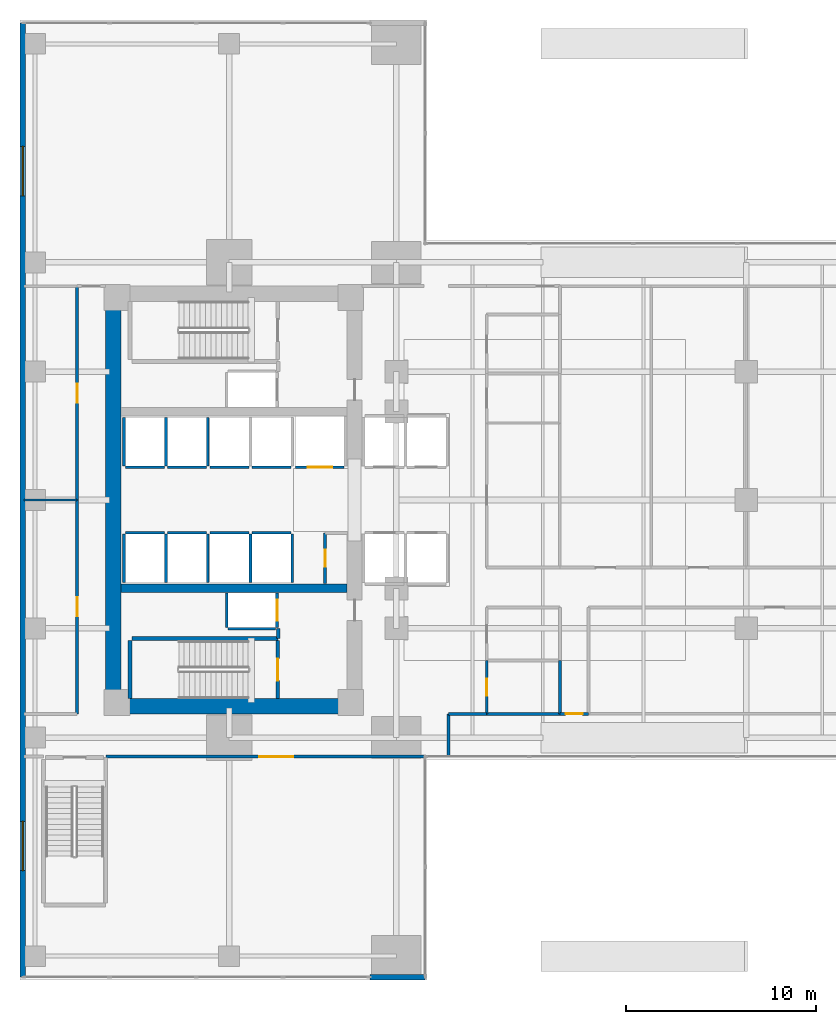
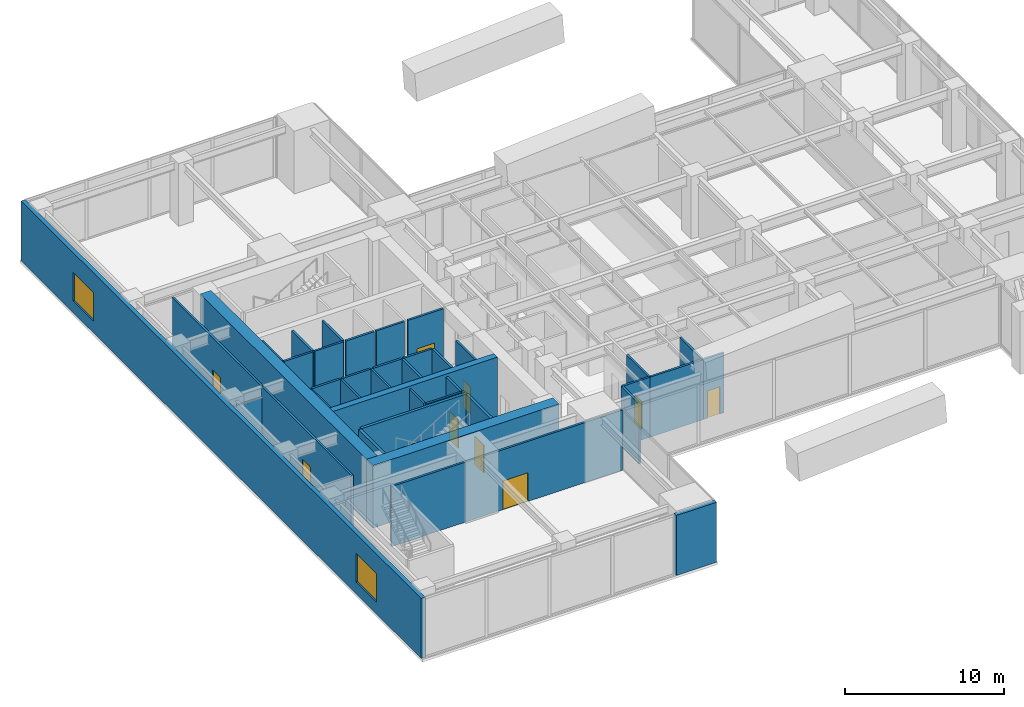
# One storey, part 8 of 13: 40 walls, 9 doors, 2 windows, 11 openings.
"""IFC4 building model written with IfcOpenShell, lengths in metres."""

from ifc_helpers import new_model, si_unit, direction, frame, frame_2d, origin, place, context, subcontext, project, spatial, rectangle, extrude, material, layer, layer_set, type_object, element, fill, save


model = new_model("IFC4")

# Units and contexts
model_context = context("Model", 3, precision=1e-05, world=origin(), true_north=direction((0.0, 1.0)))
body_context = subcontext(model_context, "Body", "Model", "MODEL_VIEW")
ifc_project = project(units=[si_unit("LENGTHUNIT", "METRE"), si_unit("AREAUNIT", "SQUARE_METRE"), si_unit("VOLUMEUNIT", "CUBIC_METRE"), si_unit("PLANEANGLEUNIT", "RADIAN"), si_unit("MASSUNIT", "GRAM", prefix="KILO")], contexts=[model_context])

# Site, building, storey
site_placement = place(None, origin())
site = spatial("IfcSite", under=ifc_project, at=site_placement, CompositionType="ELEMENT")
building_placement = place(site_placement, origin())
building = spatial("IfcBuilding", under=site, at=building_placement, Name="Kinhvarn Gate Tower", CompositionType="ELEMENT")
storey_placement = place(building_placement, frame((0.0, 0.0, 10.800048828125)))
storey = spatial("IfcBuildingStorey", under=building, at=storey_placement, Name="L02", CompositionType="ELEMENT", Elevation=10.800048828125)

# Walls
ifc_material_1 = material(Name="Concrete C50/60", Category="concrete")
ifc_layer_1 = layer(ifc_material_1, 0.449951171875)
ifc_layer_set_1 = layer_set([ifc_layer_1], Name="Concrete C50/60")
wall_type_1 = type_object("IfcWallType", Name="WL-CORE-450", PredefinedType="SHEAR", material=ifc_layer_set_1)
wall_1_placement = place(storey_placement, frame((5.300048828125, 20.60009765625, 0.0), z_axis=(0.0, 0.0, 1.0), x_axis=(1.0, 0.0, 0.0)))
element("IfcWall", 1, at=wall_1_placement, inside=storey, type_object=wall_type_1, Name="Core South Spine Shear Wall L02 450 mm", PredefinedType="SHEAR", context=body_context, shape_type="SweptSolid", body=[
    extrude(rectangle(XDim=11.89990234375, YDim=0.449951171875, at=frame_2d((5.949951171875, 0.0))), origin(), (0.0, 0.0, 1.0), 4.800048828125),
])
ifc_material_2 = material(Name="Concrete C70/85", Category="concrete")
ifc_layer_2 = layer(ifc_material_2, 0.800048828125)
ifc_layer_set_2 = layer_set([ifc_layer_2], Name="Concrete C70/85")
wall_type_2 = type_object("IfcWallType", Name="WL-CORE-800", PredefinedType="SHEAR", material=ifc_layer_set_2)
wall_2_placement = place(storey_placement, frame((4.5, 14.39990234375, 0.0), z_axis=(0.0, 0.0, 1.0), x_axis=(1.0, 0.0, 0.0)))
element("IfcWall", 2, at=wall_2_placement, inside=storey, type_object=wall_type_2, Name="Core South Shear Wall L02 800 mm", PredefinedType="SHEAR", context=body_context, shape_type="SweptSolid", body=[
    extrude(rectangle(XDim=13.5, YDim=0.800048828125, at=frame_2d((6.75, 0.0))), origin(), (0.0, 0.0, 1.0), 4.800048828125),
])
wall_3_placement = place(storey_placement, frame((4.89990234375, 14.800048828125, 0.0), z_axis=(0.0, 0.0, 1.0), x_axis=(0.0, 1.0, 0.0)))
element("IfcWall", 3, at=wall_3_placement, inside=storey, type_object=wall_type_2, Name="Core West Shear Wall L02 800 mm", PredefinedType="SHEAR", context=body_context, shape_type="SweptSolid", body=[
    extrude(rectangle(XDim=20.89990234375, YDim=0.800048828125, at=frame_2d((10.449951171875, 0.0))), origin(), (0.0, 0.0, 1.0), 4.800048828125),
])

# Wall, openings, windows
ifc_material_3 = material(Name="Precast white architectural concrete C40/50", Category="concrete")
ifc_layer_3 = layer(ifc_material_3, 0.300048828125)
ifc_layer_set_3 = layer_set([ifc_layer_3], Name="Precast white architectural concrete C40/50")
wall_type_3 = type_object("IfcWallType", Name="WL-EXT-300", PredefinedType="SOLIDWALL", material=ifc_layer_set_3)
wall_4_placement = place(storey_placement, frame((0.14990234375, 50.35009765625, 0.0), z_axis=(0.0, 0.0, 1.0), x_axis=(0.0, -1.0, 0.0)))
wall_4 = element("IfcWall", 4, at=wall_4_placement, inside=storey, type_object=wall_type_3, Name="Exterior Solidwall Wall EW-300 (L02 West)", PredefinedType="SOLIDWALL", context=body_context, shape_type="SweptSolid", body=[
    extrude(rectangle(XDim=50.2001953125, YDim=0.300048828125, at=frame_2d((25.10009765625, 0.0))), origin(), (0.0, 0.0, 1.0), 4.599853515625),
])
opening_1_placement = place(wall_4_placement, frame((6.5, 0.0, 0.89990234375)))
opening_1 = element("IfcOpeningElement", 5, at=opening_1_placement, cuts=wall_4, Name="Opening WN-03", PredefinedType="OPENING", context=body_context, shape_type="SweptSolid", body=[
    extrude(rectangle(XDim=2.60009765625, YDim=2.199951171875, at=frame_2d((1.300048828125, 1.10009765625))), frame((0.0, 0.16015625, 0.0), z_axis=(0.0, -1.0, 0.0), x_axis=(1.0, 0.0, 0.0)), (0.0, 0.0, 1.0), 0.320068359375),
])
opening_2_placement = place(wall_4_placement, frame((42.0, 0.0, 0.89990234375)))
opening_2 = element("IfcOpeningElement", 6, at=opening_2_placement, cuts=wall_4, Name="Opening WN-03", PredefinedType="OPENING", context=body_context, shape_type="SweptSolid", body=[
    extrude(rectangle(XDim=2.60009765625, YDim=2.199951171875, at=frame_2d((1.300048828125, 1.10009765625))), frame((0.0, 0.16015625, 0.0), z_axis=(0.0, -1.0, 0.0), x_axis=(1.0, 0.0, 0.0)), (0.0, 0.0, 1.0), 0.320068359375),
])
ifc_material_4 = material(Name="Clear low-e double glazing", Category="glass")
window_type = type_object("IfcWindowType", Name="WIN-POD-2600", PartitioningType="SINGLE_PANEL", PredefinedType="WINDOW", material=ifc_material_4)
window_1_placement = place(opening_1_placement, origin())
window_1 = element("IfcWindow", 7, at=window_1_placement, inside=storey, type_object=window_type, Name="Podium Gallery Punched Window 2600x2200 mm (L02)", OverallHeight=2.199951171875, OverallWidth=2.60009765625, PartitioningType="SINGLE_PANEL", PredefinedType="WINDOW", context=body_context, shape_type="SweptSolid", body=[
    extrude(rectangle(XDim=2.60009765625, YDim=2.199951171875, at=frame_2d((1.300048828125, 1.10009765625))), frame((0.0, 0.030029296875, 0.0), z_axis=(0.0, -1.0, 0.0), x_axis=(1.0, 0.0, 0.0)), (0.0, 0.0, 1.0), 0.06005859375),
])
fill(opening_1, window_1)
window_2_placement = place(opening_2_placement, origin())
window_2 = element("IfcWindow", 8, at=window_2_placement, inside=storey, type_object=window_type, Name="Podium Gallery Punched Window 2600x2200 mm (L02)", OverallHeight=2.199951171875, OverallWidth=2.60009765625, PartitioningType="SINGLE_PANEL", PredefinedType="WINDOW", context=body_context, shape_type="SweptSolid", body=[
    extrude(rectangle(XDim=2.60009765625, YDim=2.199951171875, at=frame_2d((1.300048828125, 1.10009765625))), frame((0.0, 0.030029296875, 0.0), z_axis=(0.0, -1.0, 0.0), x_axis=(1.0, 0.0, 0.0)), (0.0, 0.0, 1.0), 0.06005859375),
])
fill(opening_2, window_2)

# Walls
wall_5_placement = place(storey_placement, frame((18.39990234375, 0.14990234375, 0.0), z_axis=(0.0, 0.0, 1.0), x_axis=(1.0, 0.0, 0.0)))
element("IfcWall", 9, at=wall_5_placement, inside=storey, type_object=wall_type_3, Name="Exterior Solidwall Wall EW-300 (L02 Arch-SW-Pier-L02)", PredefinedType="SOLIDWALL", context=body_context, shape_type="SweptSolid", body=[
    extrude(rectangle(XDim=2.91015625, YDim=0.300048828125, at=frame_2d((1.455078125, 0.0))), origin(), (0.0, 0.0, 1.0), 4.599853515625),
])
ifc_material_5 = material(Name="Gypsum acoustic partition board")
ifc_layer_4 = layer(ifc_material_5, 0.14990234375)
ifc_layer_set_4 = layer_set([ifc_layer_4], Name="Gypsum acoustic partition board")
wall_type_4 = type_object("IfcWallType", Name="WL-PLM-150", PredefinedType="PLUMBINGWALL", material=ifc_layer_set_4)
wall_6_placement = place(storey_placement, frame((24.550048828125, 14.0, 0.0), z_axis=(0.0, 0.0, 1.0), x_axis=(1.0, 0.0, 0.0)))
element("IfcWall", 10, at=wall_6_placement, inside=storey, type_object=wall_type_4, Name="Interior Partition PLW-150 (L02)", PredefinedType="PLUMBINGWALL", context=body_context, shape_type="SweptSolid", body=[
    extrude(rectangle(XDim=3.849853515625, YDim=0.14990234375, at=frame_2d((1.9248046875, 0.0))), origin(), (0.0, 0.0, 1.0), 4.599853515625),
])

# Wall, opening, door
ifc_layer_5 = layer(ifc_material_5, 0.14990234375)
ifc_layer_set_5 = layer_set([ifc_layer_5], Name="Gypsum acoustic partition board")
wall_type_5 = type_object("IfcWallType", Name="WL-PLM-150F", PredefinedType="PLUMBINGWALL", material=ifc_layer_set_5)
wall_7_placement = place(storey_placement, frame((24.550048828125, 14.0, 0.0), z_axis=(0.0, 0.0, 1.0), x_axis=(0.0, 1.0, 0.0)))
wall_7 = element("IfcWall", 11, at=wall_7_placement, inside=storey, type_object=wall_type_5, Name="Interior Partition PLW-150F (L02)", PredefinedType="PLUMBINGWALL", context=body_context, shape_type="SweptSolid", body=[
    extrude(rectangle(XDim=2.800048828125, YDim=0.14990234375, at=frame_2d((1.39990234375, 0.0))), origin(), (0.0, 0.0, 1.0), 4.599853515625),
])
opening_3_placement = place(wall_7_placement, frame((0.949951171875, 0.0, 0.0)))
opening_3 = element("IfcOpeningElement", 12, at=opening_3_placement, cuts=wall_7, Name="Opening FD-04", PredefinedType="OPENING", context=body_context, shape_type="SweptSolid", body=[
    extrude(rectangle(XDim=0.89990234375, YDim=2.10009765625, at=frame_2d((0.449951171875, 1.050048828125))), frame((0.0, 0.0849609375, 0.0), z_axis=(0.0, -1.0, 0.0), x_axis=(1.0, 0.0, 0.0)), (0.0, 0.0, 1.0), 0.169921875),
])
ifc_material_6 = material(Name="Anodised aluminium AW-6063", Category="aluminium")
door_type_1 = type_object("IfcDoorType", Name="DR-FD-900", OperationType="NOTDEFINED", PredefinedType="DOOR", material=ifc_material_6)
door_1_placement = place(opening_3_placement, origin())
door_1 = element("IfcDoor", 13, at=door_1_placement, inside=storey, type_object=door_type_1, Name="Rated Riser & Service Closet Fire Door 900x2100 mm (L02)", OperationType="SINGLE_SWING_LEFT", OverallHeight=2.10009765625, OverallWidth=0.89990234375, PredefinedType="DOOR", context=body_context, shape_type="SweptSolid", body=[
    extrude(rectangle(XDim=0.89990234375, YDim=2.10009765625, at=frame_2d((0.449951171875, 1.050048828125))), frame((0.0, 0.02490234375, 0.0), z_axis=(0.0, -1.0, 0.0), x_axis=(1.0, 0.0, 0.0)), (0.0, 0.0, 1.0), 0.050048828125),
])
fill(opening_3, door_1)

# Walls
wall_8_placement = place(storey_placement, frame((28.39990234375, 14.0, 0.0), z_axis=(0.0, 0.0, 1.0), x_axis=(0.0, 1.0, 0.0)))
element("IfcWall", 14, at=wall_8_placement, inside=storey, type_object=wall_type_5, Name="Interior Partition PLW-150F (L02)", PredefinedType="PLUMBINGWALL", context=body_context, shape_type="SweptSolid", body=[
    extrude(rectangle(XDim=2.800048828125, YDim=0.14990234375, at=frame_2d((1.39990234375, 0.0))), origin(), (0.0, 0.0, 1.0), 4.599853515625),
])
ifc_layer_6 = layer(ifc_material_5, 0.1201171875)
ifc_layer_set_6 = layer_set([ifc_layer_6], Name="Gypsum acoustic partition board")
wall_type_6 = type_object("IfcWallType", Name="WL-PRT-120", PredefinedType="PARTITIONING", material=ifc_layer_set_6)
wall_9_placement = place(storey_placement, frame((0.199951171875, 25.25, 0.0), z_axis=(0.0, 0.0, 1.0), x_axis=(1.0, 0.0, 0.0)))
element("IfcWall", 15, at=wall_9_placement, inside=storey, type_object=wall_type_6, Name="Interior Partition PW-120 (L02)", PredefinedType="PARTITIONING", context=body_context, shape_type="SweptSolid", body=[
    extrude(rectangle(XDim=2.800048828125, YDim=0.1201171875, at=frame_2d((1.39990234375, 0.0))), origin(), (0.0, 0.0, 1.0), 3.800048828125),
])

# Wall, opening, door
ifc_layer_7 = layer(ifc_material_5, 0.14990234375)
ifc_layer_set_7 = layer_set([ifc_layer_7], Name="Gypsum acoustic partition board")
wall_type_7 = type_object("IfcWallType", Name="WL-PRT-150F", PredefinedType="PARTITIONING", material=ifc_layer_set_7)
wall_10_placement = place(storey_placement, frame((16.050048828125, 20.85009765625, 0.0), z_axis=(0.0, 0.0, 1.0), x_axis=(0.0, 1.0, 0.0)))
wall_10 = element("IfcWall", 16, at=wall_10_placement, inside=storey, type_object=wall_type_7, Name="Interior Partition PW-150F (L02)", PredefinedType="PARTITIONING", context=body_context, shape_type="SweptSolid", body=[
    extrude(rectangle(XDim=2.669921875, YDim=0.14990234375, at=frame_2d((1.3349609375, 0.0))), origin(), (0.0, 0.0, 1.0), 4.599853515625),
])
opening_4_placement = place(wall_10_placement, frame((0.885009765625, 0.0, 0.0)))
opening_4 = element("IfcOpeningElement", 17, at=opening_4_placement, cuts=wall_10, Name="Opening FD-04", PredefinedType="OPENING", context=body_context, shape_type="SweptSolid", body=[
    extrude(rectangle(XDim=0.89990234375, YDim=2.10009765625, at=frame_2d((0.449951171875, 1.050048828125))), frame((0.0, 0.0849609375, 0.0), z_axis=(0.0, -1.0, 0.0), x_axis=(1.0, 0.0, 0.0)), (0.0, 0.0, 1.0), 0.169921875),
])
door_2_placement = place(opening_4_placement, origin())
door_2 = element("IfcDoor", 18, at=door_2_placement, inside=storey, type_object=door_type_1, Name="Rated Riser & Service Closet Fire Door 900x2100 mm (L02)", OperationType="SINGLE_SWING_RIGHT", OverallHeight=2.10009765625, OverallWidth=0.89990234375, PredefinedType="DOOR", context=body_context, shape_type="SweptSolid", body=[
    extrude(rectangle(XDim=0.89990234375, YDim=2.10009765625, at=frame_2d((0.449951171875, 1.050048828125))), frame((0.0, 0.02490234375, 0.0), z_axis=(0.0, -1.0, 0.0), x_axis=(1.0, 0.0, 0.0)), (0.0, 0.0, 1.0), 0.050048828125),
])
fill(opening_4, door_2)

# Wall
wall_11_placement = place(storey_placement, frame((22.550048828125, 14.0, 0.0), z_axis=(0.0, 0.0, 1.0), x_axis=(1.0, 0.0, 0.0)))
element("IfcWall", 19, at=wall_11_placement, inside=storey, type_object=wall_type_7, Name="Interior Partition PW-150F (L02)", PredefinedType="PARTITIONING", context=body_context, shape_type="SweptSolid", body=[
    extrude(rectangle(XDim=2.0, YDim=0.14990234375, at=frame_2d((1.0, 0.0))), origin(), (0.0, 0.0, 1.0), 4.599853515625),
])

# Wall, opening, door
wall_12_placement = place(storey_placement, frame((28.39990234375, 14.0, 0.0), z_axis=(0.0, 0.0, 1.0), x_axis=(1.0, 0.0, 0.0)))
wall_12 = element("IfcWall", 20, at=wall_12_placement, inside=storey, type_object=wall_type_7, Name="Interior Partition PW-150F (L02)", PredefinedType="PARTITIONING", context=body_context, shape_type="SweptSolid", body=[
    extrude(rectangle(XDim=1.5, YDim=0.14990234375, at=frame_2d((0.75, 0.0))), origin(), (0.0, 0.0, 1.0), 4.599853515625),
])
opening_5_placement = place(wall_12_placement, frame((0.300048828125, 0.0, 0.0)))
opening_5 = element("IfcOpeningElement", 21, at=opening_5_placement, cuts=wall_12, Name="Opening ID-03", PredefinedType="OPENING", context=body_context, shape_type="SweptSolid", body=[
    extrude(rectangle(XDim=0.89990234375, YDim=2.10009765625, at=frame_2d((0.449951171875, 1.050048828125))), frame((0.0, 0.0849609375, 0.0), z_axis=(0.0, -1.0, 0.0), x_axis=(1.0, 0.0, 0.0)), (0.0, 0.0, 1.0), 0.169921875),
])
door_type_2 = type_object("IfcDoorType", Name="DR-INT-900", OperationType="NOTDEFINED", PredefinedType="DOOR", material=ifc_material_6)
door_3_placement = place(opening_5_placement, origin())
door_3 = element("IfcDoor", 22, at=door_3_placement, inside=storey, type_object=door_type_2, Name="Cellular Office & Restroom Door 900x2100 mm (L02)", OperationType="SINGLE_SWING_RIGHT", OverallHeight=2.10009765625, OverallWidth=0.89990234375, PredefinedType="DOOR", context=body_context, shape_type="SweptSolid", body=[
    extrude(rectangle(XDim=0.89990234375, YDim=2.10009765625, at=frame_2d((0.449951171875, 1.050048828125))), frame((0.0, 0.02490234375, 0.0), z_axis=(0.0, -1.0, 0.0), x_axis=(1.0, 0.0, 0.0)), (0.0, 0.0, 1.0), 0.050048828125),
])
fill(opening_5, door_3)

wall_13_placement = place(storey_placement, frame((4.52001953125, 11.75, 0.0), z_axis=(0.0, 0.0, 1.0), x_axis=(1.0, 0.0, 0.0)))
wall_13 = element("IfcWall", 23, at=wall_13_placement, inside=storey, type_object=wall_type_7, Name="Interior Partition PW-150F (L02)", PredefinedType="PARTITIONING", context=body_context, shape_type="SweptSolid", body=[
    extrude(rectangle(XDim=16.72998046875, YDim=0.14990234375, at=frame_2d((8.364990234375, 0.0))), origin(), (0.0, 0.0, 1.0), 4.599853515625),
])
opening_6_placement = place(wall_13_placement, frame((8.06005859375, 0.0, 0.0)))
opening_6 = element("IfcOpeningElement", 24, at=opening_6_placement, cuts=wall_13, Name="Opening ID-04", PredefinedType="OPENING", context=body_context, shape_type="SweptSolid", body=[
    extrude(rectangle(XDim=1.800048828125, YDim=2.199951171875, at=frame_2d((0.89990234375, 1.10009765625))), frame((0.0, 0.0849609375, 0.0), z_axis=(0.0, -1.0, 0.0), x_axis=(1.0, 0.0, 0.0)), (0.0, 0.0, 1.0), 0.169921875),
])
door_type_3 = type_object("IfcDoorType", Name="DR-GLZ-1800", OperationType="NOTDEFINED", PredefinedType="DOOR", material=ifc_material_4)
door_4_placement = place(opening_6_placement, origin())
door_4 = element("IfcDoor", 25, at=door_4_placement, inside=storey, type_object=door_type_3, Name="Double Glazed Forum & Sky-Lobby Door 1800x2200 mm (L02)", OperationType="DOUBLE_DOOR_SINGLE_SWING", OverallHeight=2.199951171875, OverallWidth=1.800048828125, PredefinedType="DOOR", context=body_context, shape_type="SweptSolid", body=[
    extrude(rectangle(XDim=1.800048828125, YDim=2.199951171875, at=frame_2d((0.89990234375, 1.10009765625))), frame((0.0, 0.02490234375, 0.0), z_axis=(0.0, -1.0, 0.0), x_axis=(1.0, 0.0, 0.0)), (0.0, 0.0, 1.0), 0.050048828125),
])
fill(opening_6, door_4)

# Wall
wall_14_placement = place(storey_placement, frame((22.550048828125, 11.75, 0.0), z_axis=(0.0, 0.0, 1.0), x_axis=(0.0, 1.0, 0.0)))
element("IfcWall", 26, at=wall_14_placement, inside=storey, type_object=wall_type_7, Name="Interior Partition PW-150F (L02)", PredefinedType="PARTITIONING", context=body_context, shape_type="SweptSolid", body=[
    extrude(rectangle(XDim=2.25, YDim=0.14990234375, at=frame_2d((1.125, 0.0))), origin(), (0.0, 0.0, 1.0), 4.599853515625),
])

# Wall, opening, door
wall_15_placement = place(storey_placement, frame((3.0, 14.0, 0.0), z_axis=(0.0, 0.0, 1.0), x_axis=(0.0, 1.0, 0.0)))
wall_15 = element("IfcWall", 27, at=wall_15_placement, inside=storey, type_object=wall_type_7, Name="Interior Partition PW-150F (L02)", PredefinedType="PARTITIONING", context=body_context, shape_type="SweptSolid", body=[
    extrude(rectangle(XDim=11.25, YDim=0.14990234375, at=frame_2d((5.625, 0.0))), origin(), (0.0, 0.0, 1.0), 4.599853515625),
])
opening_7_placement = place(wall_15_placement, frame((5.125, 0.0, 0.0)))
opening_7 = element("IfcOpeningElement", 28, at=opening_7_placement, cuts=wall_15, Name="Opening ID-02", PredefinedType="OPENING", context=body_context, shape_type="SweptSolid", body=[
    extrude(rectangle(XDim=1.0, YDim=2.14990234375, at=frame_2d((0.5, 1.074951171875))), frame((0.0, 0.0849609375, 0.0), z_axis=(0.0, -1.0, 0.0), x_axis=(1.0, 0.0, 0.0)), (0.0, 0.0, 1.0), 0.169921875),
])
door_type_4 = type_object("IfcDoorType", Name="DR-INT-1000", OperationType="NOTDEFINED", PredefinedType="DOOR", material=ifc_material_6)
door_5_placement = place(opening_7_placement, origin())
door_5 = element("IfcDoor", 29, at=door_5_placement, inside=storey, type_object=door_type_4, Name="Standard Office & Meeting Room Door 1000x2150 mm (L02)", OperationType="SINGLE_SWING_RIGHT", OverallHeight=2.14990234375, OverallWidth=1.0, PredefinedType="DOOR", context=body_context, shape_type="SweptSolid", body=[
    extrude(rectangle(XDim=1.0, YDim=2.14990234375, at=frame_2d((0.5, 1.074951171875))), frame((0.0, 0.02490234375, 0.0), z_axis=(0.0, -1.0, 0.0), x_axis=(1.0, 0.0, 0.0)), (0.0, 0.0, 1.0), 0.050048828125),
])
fill(opening_7, door_5)

wall_16_placement = place(storey_placement, frame((3.0, 25.25, 0.0), z_axis=(0.0, 0.0, 1.0), x_axis=(0.0, 1.0, 0.0)))
wall_16 = element("IfcWall", 30, at=wall_16_placement, inside=storey, type_object=wall_type_7, Name="Interior Partition PW-150F (L02)", PredefinedType="PARTITIONING", context=body_context, shape_type="SweptSolid", body=[
    extrude(rectangle(XDim=11.25, YDim=0.14990234375, at=frame_2d((5.625, 0.0))), origin(), (0.0, 0.0, 1.0), 4.599853515625),
])
opening_8_placement = place(wall_16_placement, frame((5.125, 0.0, 0.0)))
opening_8 = element("IfcOpeningElement", 31, at=opening_8_placement, cuts=wall_16, Name="Opening ID-02", PredefinedType="OPENING", context=body_context, shape_type="SweptSolid", body=[
    extrude(rectangle(XDim=1.0, YDim=2.14990234375, at=frame_2d((0.5, 1.074951171875))), frame((0.0, 0.0849609375, 0.0), z_axis=(0.0, -1.0, 0.0), x_axis=(1.0, 0.0, 0.0)), (0.0, 0.0, 1.0), 0.169921875),
])
door_6_placement = place(opening_8_placement, origin())
door_6 = element("IfcDoor", 32, at=door_6_placement, inside=storey, type_object=door_type_4, Name="Standard Office & Meeting Room Door 1000x2150 mm (L02)", OperationType="SINGLE_SWING_LEFT", OverallHeight=2.14990234375, OverallWidth=1.0, PredefinedType="DOOR", context=body_context, shape_type="SweptSolid", body=[
    extrude(rectangle(XDim=1.0, YDim=2.14990234375, at=frame_2d((0.5, 1.074951171875))), frame((0.0, 0.02490234375, 0.0), z_axis=(0.0, -1.0, 0.0), x_axis=(1.0, 0.0, 0.0)), (0.0, 0.0, 1.0), 0.050048828125),
])
fill(opening_8, door_6)

# Walls
ifc_layer_8 = layer(ifc_material_5, 0.199951171875)
ifc_layer_set_8 = layer_set([ifc_layer_8], Name="Gypsum acoustic partition board")
wall_type_8 = type_object("IfcWallType", Name="WL-PRT-200", PredefinedType="PARTITIONING", material=ifc_layer_set_8)
wall_17_placement = place(storey_placement, frame((13.580078125, 17.9599609375, 0.0), z_axis=(0.0, 0.0, 1.0), x_axis=(0.0, 1.0, 0.0)))
element("IfcWall", 33, at=wall_17_placement, inside=storey, type_object=wall_type_8, Name="Interior Partition PW-200 (L02)", PredefinedType="PARTITIONING", context=body_context, shape_type="SweptSolid", body=[
    extrude(rectangle(XDim=0.5400390625, YDim=0.199951171875, at=frame_2d((0.27001953125, 0.0))), origin(), (0.0, 0.0, 1.0), 4.599853515625),
])
ifc_layer_9 = layer(ifc_material_5, 0.14990234375)
ifc_layer_set_9 = layer_set([ifc_layer_9], Name="Gypsum acoustic partition board")
wall_type_9 = type_object("IfcWallType", Name="WL-SHF-150", PredefinedType="PARTITIONING", material=ifc_layer_set_9)
wall_18_placement = place(storey_placement, frame((5.550048828125, 23.52490234375, 0.0), z_axis=(0.0, 0.0, 1.0), x_axis=(1.0, 0.0, 0.0)))
element("IfcWall", 34, at=wall_18_placement, inside=storey, type_object=wall_type_9, Name="Elevator PM-05 Landing Wall (L02)", PredefinedType="PARTITIONING", context=body_context, shape_type="SweptSolid", body=[
    extrude(rectangle(XDim=2.050048828125, YDim=0.14990234375, at=frame_2d((1.02490234375, 0.0))), origin(), (0.0, 0.0, 1.0), 4.599853515625),
])
for number, where, z_axis, x_axis, name in (
    (35, (5.47509765625, 20.89990234375, 0.0), (0.0, 0.0, 1.0), (0.0, 1.0, 0.0), "Elevator PM-05 Hoistway Wall W (L02)"),
    (36, (7.675048828125, 20.89990234375, 0.0), (0.0, 0.0, 1.0), (0.0, 1.0, 0.0), "Elevator PM-05 Hoistway Wall E (L02)"),
):
    element("IfcWall", number, at=place(storey_placement, frame(where, z_axis=z_axis, x_axis=x_axis)), inside=storey, type_object=wall_type_9, Name=name, PredefinedType="PARTITIONING", context=body_context, shape_type="SweptSolid", body=[
        extrude(rectangle(XDim=2.550048828125, YDim=0.14990234375, at=frame_2d((1.27490234375, 0.0))), origin(), (0.0, 0.0, 1.0), 4.599853515625),
    ])
wall_19_placement = place(storey_placement, frame((7.75, 23.52490234375, 0.0), z_axis=(0.0, 0.0, 1.0), x_axis=(1.0, 0.0, 0.0)))
element("IfcWall", 37, at=wall_19_placement, inside=storey, type_object=wall_type_9, Name="Elevator PM-06 Landing Wall (L02)", PredefinedType="PARTITIONING", context=body_context, shape_type="SweptSolid", body=[
    extrude(rectangle(XDim=2.050048828125, YDim=0.14990234375, at=frame_2d((1.02490234375, 0.0))), origin(), (0.0, 0.0, 1.0), 4.599853515625),
])
wall_20_placement = place(storey_placement, frame((9.875, 20.89990234375, 0.0), z_axis=(0.0, 0.0, 1.0), x_axis=(0.0, 1.0, 0.0)))
element("IfcWall", 38, at=wall_20_placement, inside=storey, type_object=wall_type_9, Name="Elevator PM-06 Hoistway Wall E (L02)", PredefinedType="PARTITIONING", context=body_context, shape_type="SweptSolid", body=[
    extrude(rectangle(XDim=2.550048828125, YDim=0.14990234375, at=frame_2d((1.27490234375, 0.0))), origin(), (0.0, 0.0, 1.0), 4.599853515625),
])
wall_21_placement = place(storey_placement, frame((5.550048828125, 26.97509765625, 0.0), z_axis=(0.0, 0.0, 1.0), x_axis=(1.0, 0.0, 0.0)))
element("IfcWall", 39, at=wall_21_placement, inside=storey, type_object=wall_type_9, Name="Elevator PM-07 Landing Wall (L02)", PredefinedType="PARTITIONING", context=body_context, shape_type="SweptSolid", body=[
    extrude(rectangle(XDim=2.050048828125, YDim=0.14990234375, at=frame_2d((1.02490234375, 0.0))), origin(), (0.0, 0.0, 1.0), 4.599853515625),
])
for number, where, z_axis, x_axis, name in (
    (40, (5.47509765625, 27.050048828125, 0.0), (0.0, 0.0, 1.0), (0.0, 1.0, 0.0), "Elevator PM-07 Hoistway Wall W (L02)"),
    (41, (7.675048828125, 27.050048828125, 0.0), (0.0, 0.0, 1.0), (0.0, 1.0, 0.0), "Elevator PM-07 Hoistway Wall E (L02)"),
):
    element("IfcWall", number, at=place(storey_placement, frame(where, z_axis=z_axis, x_axis=x_axis)), inside=storey, type_object=wall_type_9, Name=name, PredefinedType="PARTITIONING", context=body_context, shape_type="SweptSolid", body=[
        extrude(rectangle(XDim=2.550048828125, YDim=0.14990234375, at=frame_2d((1.27490234375, 0.0))), origin(), (0.0, 0.0, 1.0), 4.599853515625),
    ])
wall_22_placement = place(storey_placement, frame((7.75, 26.97509765625, 0.0), z_axis=(0.0, 0.0, 1.0), x_axis=(1.0, 0.0, 0.0)))
element("IfcWall", 42, at=wall_22_placement, inside=storey, type_object=wall_type_9, Name="Elevator PM-08 Landing Wall (L02)", PredefinedType="PARTITIONING", context=body_context, shape_type="SweptSolid", body=[
    extrude(rectangle(XDim=2.050048828125, YDim=0.14990234375, at=frame_2d((1.02490234375, 0.0))), origin(), (0.0, 0.0, 1.0), 4.599853515625),
])
wall_23_placement = place(storey_placement, frame((9.875, 27.050048828125, 0.0), z_axis=(0.0, 0.0, 1.0), x_axis=(0.0, 1.0, 0.0)))
element("IfcWall", 43, at=wall_23_placement, inside=storey, type_object=wall_type_9, Name="Elevator PM-08 Hoistway Wall E (L02)", PredefinedType="PARTITIONING", context=body_context, shape_type="SweptSolid", body=[
    extrude(rectangle(XDim=2.550048828125, YDim=0.14990234375, at=frame_2d((1.27490234375, 0.0))), origin(), (0.0, 0.0, 1.0), 4.599853515625),
])
wall_24_placement = place(storey_placement, frame((10.0, 23.52490234375, 0.0), z_axis=(0.0, 0.0, 1.0), x_axis=(1.0, 0.0, 0.0)))
element("IfcWall", 44, at=wall_24_placement, inside=storey, type_object=wall_type_9, Name="Elevator PH-09 Landing Wall (L02)", PredefinedType="PARTITIONING", context=body_context, shape_type="SweptSolid", body=[
    extrude(rectangle(XDim=2.050048828125, YDim=0.14990234375, at=frame_2d((1.02490234375, 0.0))), origin(), (0.0, 0.0, 1.0), 4.599853515625),
])
wall_25_placement = place(storey_placement, frame((12.125, 20.89990234375, 0.0), z_axis=(0.0, 0.0, 1.0), x_axis=(0.0, 1.0, 0.0)))
element("IfcWall", 45, at=wall_25_placement, inside=storey, type_object=wall_type_9, Name="Elevator PH-09 Hoistway Wall E (L02)", PredefinedType="PARTITIONING", context=body_context, shape_type="SweptSolid", body=[
    extrude(rectangle(XDim=2.550048828125, YDim=0.14990234375, at=frame_2d((1.27490234375, 0.0))), origin(), (0.0, 0.0, 1.0), 4.599853515625),
])
wall_26_placement = place(storey_placement, frame((12.199951171875, 23.52490234375, 0.0), z_axis=(0.0, 0.0, 1.0), x_axis=(1.0, 0.0, 0.0)))
element("IfcWall", 46, at=wall_26_placement, inside=storey, type_object=wall_type_9, Name="Elevator PH-10 Landing Wall (L02)", PredefinedType="PARTITIONING", context=body_context, shape_type="SweptSolid", body=[
    extrude(rectangle(XDim=2.050048828125, YDim=0.14990234375, at=frame_2d((1.02490234375, 0.0))), origin(), (0.0, 0.0, 1.0), 4.599853515625),
])
wall_27_placement = place(storey_placement, frame((14.324951171875, 20.89990234375, 0.0), z_axis=(0.0, 0.0, 1.0), x_axis=(0.0, 1.0, 0.0)))
element("IfcWall", 47, at=wall_27_placement, inside=storey, type_object=wall_type_9, Name="Elevator PH-10 Hoistway Wall E (L02)", PredefinedType="PARTITIONING", context=body_context, shape_type="SweptSolid", body=[
    extrude(rectangle(XDim=2.550048828125, YDim=0.14990234375, at=frame_2d((1.27490234375, 0.0))), origin(), (0.0, 0.0, 1.0), 4.599853515625),
])
for number, where, z_axis, x_axis, name in (
    (48, (10.0, 26.97509765625, 0.0), (0.0, 0.0, 1.0), (1.0, 0.0, 0.0), "Elevator PH-11 Landing Wall (L02)"),
    (49, (12.199951171875, 26.97509765625, 0.0), (0.0, 0.0, 1.0), (1.0, 0.0, 0.0), "Elevator PH-12 Landing Wall (L02)"),
):
    element("IfcWall", number, at=place(storey_placement, frame(where, z_axis=z_axis, x_axis=x_axis)), inside=storey, type_object=wall_type_9, Name=name, PredefinedType="PARTITIONING", context=body_context, shape_type="SweptSolid", body=[
        extrude(rectangle(XDim=2.050048828125, YDim=0.14990234375, at=frame_2d((1.02490234375, 0.0))), origin(), (0.0, 0.0, 1.0), 4.599853515625),
    ])

# Wall, opening, door
wall_28_placement = place(storey_placement, frame((14.5, 26.97509765625, 0.0), z_axis=(0.0, 0.0, 1.0), x_axis=(1.0, 0.0, 0.0)))
wall_28 = element("IfcWall", 50, at=wall_28_placement, inside=storey, type_object=wall_type_9, Name="Elevator SV-01 Landing Wall (L02)", PredefinedType="PARTITIONING", context=body_context, shape_type="SweptSolid", body=[
    extrude(rectangle(XDim=2.550048828125, YDim=0.14990234375, at=frame_2d((1.27490234375, 0.0))), origin(), (0.0, 0.0, 1.0), 4.599853515625),
])
opening_9_placement = place(wall_28_placement, frame((0.625, 0.0, 0.0)))
opening_9 = element("IfcOpeningElement", 51, at=opening_9_placement, cuts=wall_28, Name="Opening LD-02", PredefinedType="OPENING", context=body_context, shape_type="SweptSolid", body=[
    extrude(rectangle(XDim=1.300048828125, YDim=2.199951171875, at=frame_2d((0.64990234375, 1.10009765625))), frame((0.0, 0.0849609375, 0.0), z_axis=(0.0, -1.0, 0.0), x_axis=(1.0, 0.0, 0.0)), (0.0, 0.0, 1.0), 0.169921875),
])
door_type_5 = type_object("IfcDoorType", Name="DR-LND-SRV", OperationType="NOTDEFINED", PredefinedType="DOOR", material=ifc_material_6)
door_7_placement = place(opening_9_placement, origin())
door_7 = element("IfcDoor", 52, at=door_7_placement, inside=storey, type_object=door_type_5, Name="Elevator SV-01 Sliding Landing Door (L02)", OperationType="DOUBLE_DOOR_SLIDING", OverallHeight=2.199951171875, OverallWidth=1.300048828125, PredefinedType="DOOR", context=body_context, shape_type="SweptSolid", body=[
    extrude(rectangle(XDim=1.300048828125, YDim=2.199951171875, at=frame_2d((0.64990234375, 1.10009765625))), frame((0.0, 0.02490234375, 0.0), z_axis=(0.0, -1.0, 0.0), x_axis=(1.0, 0.0, 0.0)), (0.0, 0.0, 1.0), 0.050048828125),
])
fill(opening_9, door_7)

# Walls
wall_29_placement = place(storey_placement, frame((10.949951171875, 18.47509765625, 0.0), z_axis=(0.0, 0.0, 1.0), x_axis=(1.0, 0.0, 0.0)))
element("IfcWall", 53, at=wall_29_placement, inside=storey, type_object=wall_type_9, Name="Elevator FF1 Hoistway Wall S (L02)", PredefinedType="PARTITIONING", context=body_context, shape_type="SweptSolid", body=[
    extrude(rectangle(XDim=2.5, YDim=0.14990234375, at=frame_2d((1.25, 0.0))), origin(), (0.0, 0.0, 1.0), 4.599853515625),
])
wall_30_placement = place(storey_placement, frame((10.875, 18.550048828125, 0.0), z_axis=(0.0, 0.0, 1.0), x_axis=(0.0, 1.0, 0.0)))
element("IfcWall", 54, at=wall_30_placement, inside=storey, type_object=wall_type_9, Name="Elevator FF1 Hoistway Wall W (L02)", PredefinedType="PARTITIONING", context=body_context, shape_type="SweptSolid", body=[
    extrude(rectangle(XDim=1.800048828125, YDim=0.14990234375, at=frame_2d((0.89990234375, 0.0))), origin(), (0.0, 0.0, 1.0), 4.599853515625),
])

# Wall, opening, door
wall_31_placement = place(storey_placement, frame((13.52490234375, 18.550048828125, 0.0), z_axis=(0.0, 0.0, 1.0), x_axis=(0.0, 1.0, 0.0)))
wall_31 = element("IfcWall", 55, at=wall_31_placement, inside=storey, type_object=wall_type_9, Name="Elevator FF1 Landing Wall (L02)", PredefinedType="PARTITIONING", context=body_context, shape_type="SweptSolid", body=[
    extrude(rectangle(XDim=1.800048828125, YDim=0.14990234375, at=frame_2d((0.89990234375, 0.0))), origin(), (0.0, 0.0, 1.0), 4.599853515625),
])
opening_10_placement = place(wall_31_placement, frame((0.35009765625, 0.0, 0.0)))
opening_10 = element("IfcOpeningElement", 56, at=opening_10_placement, cuts=wall_31, Name="Opening LD-03", PredefinedType="OPENING", context=body_context, shape_type="SweptSolid", body=[
    extrude(rectangle(XDim=1.10009765625, YDim=2.199951171875, at=frame_2d((0.550048828125, 1.10009765625))), frame((0.0, 0.0849609375, 0.0), z_axis=(0.0, -1.0, 0.0), x_axis=(1.0, 0.0, 0.0)), (0.0, 0.0, 1.0), 0.169921875),
])
door_type_6 = type_object("IfcDoorType", Name="DR-LND-FF", OperationType="NOTDEFINED", PredefinedType="DOOR", material=ifc_material_6)
door_8_placement = place(opening_10_placement, origin())
door_8 = element("IfcDoor", 57, at=door_8_placement, inside=storey, type_object=door_type_6, Name="Elevator FF1 Sliding Landing Door (L02)", OperationType="DOUBLE_DOOR_SLIDING", OverallHeight=2.199951171875, OverallWidth=1.10009765625, PredefinedType="DOOR", context=body_context, shape_type="SweptSolid", body=[
    extrude(rectangle(XDim=1.10009765625, YDim=2.199951171875, at=frame_2d((0.550048828125, 1.10009765625))), frame((0.0, 0.02490234375, 0.0), z_axis=(0.0, -1.0, 0.0), x_axis=(1.0, 0.0, 0.0)), (0.0, 0.0, 1.0), 0.050048828125),
])
fill(opening_10, door_8)

# Walls
ifc_material_7 = material(Name="Concrete C40/50", Category="concrete")
ifc_layer_10 = layer(ifc_material_7, 0.199951171875)
ifc_layer_set_10 = layer_set([ifc_layer_10], Name="Concrete C40/50")
wall_type_10 = type_object("IfcWallType", Name="WL-SHF-200", PredefinedType="SOLIDWALL", material=ifc_layer_set_10)
wall_32_placement = place(storey_placement, frame((5.7900390625, 14.800048828125, 0.0), z_axis=(0.0, 0.0, 1.0), x_axis=(0.0, 1.0, 0.0)))
element("IfcWall", 58, at=wall_32_placement, inside=storey, type_object=wall_type_10, Name="Stair ST1 West Shaft Wall (L02)", PredefinedType="SOLIDWALL", context=body_context, shape_type="SweptSolid", body=[
    extrude(rectangle(XDim=3.050048828125, YDim=0.199951171875, at=frame_2d((1.52490234375, 0.0))), origin(), (0.0, 0.0, 1.0), 4.800048828125),
])
wall_33_placement = place(storey_placement, frame((5.89990234375, 17.9599609375, 0.0), z_axis=(0.0, 0.0, 1.0), x_axis=(1.0, 0.0, 0.0)))
element("IfcWall", 59, at=wall_33_placement, inside=storey, type_object=wall_type_10, Name="Stair ST1 North Shaft Wall (L02)", PredefinedType="SOLIDWALL", context=body_context, shape_type="SweptSolid", body=[
    extrude(rectangle(XDim=7.66015625, YDim=0.199951171875, at=frame_2d((3.830078125, 0.0))), origin(), (0.0, 0.0, 1.0), 4.800048828125),
])

# Wall, opening, door
wall_34_placement = place(storey_placement, frame((13.56005859375, 14.800048828125, 0.0), z_axis=(0.0, 0.0, 1.0), x_axis=(0.0, 1.0, 0.0)))
wall_34 = element("IfcWall", 60, at=wall_34_placement, inside=storey, type_object=wall_type_10, Name="Stair ST1 East Entry Wall (L02)", PredefinedType="SOLIDWALL", context=body_context, shape_type="SweptSolid", body=[
    extrude(rectangle(XDim=3.050048828125, YDim=0.199951171875, at=frame_2d((1.52490234375, 0.0))), origin(), (0.0, 0.0, 1.0), 4.800048828125),
])
opening_11_placement = place(wall_34_placement, frame((0.949951171875, 0.0, 0.0)))
opening_11 = element("IfcOpeningElement", 61, at=opening_11_placement, cuts=wall_34, Name="Opening FD-01", PredefinedType="OPENING", context=body_context, shape_type="SweptSolid", body=[
    extrude(rectangle(XDim=1.14990234375, YDim=2.14990234375, at=frame_2d((0.574951171875, 1.074951171875))), frame((0.0, 0.10986328125, 0.0), z_axis=(0.0, -1.0, 0.0), x_axis=(1.0, 0.0, 0.0)), (0.0, 0.0, 1.0), 0.219970703125),
])
door_type_7 = type_object("IfcDoorType", Name="DR-ST-1150", OperationType="NOTDEFINED", PredefinedType="DOOR", material=ifc_material_6)
door_9_placement = place(opening_11_placement, origin())
door_9 = element("IfcDoor", 62, at=door_9_placement, inside=storey, type_object=door_type_7, Name="Exit Stair ST1 Fire Door (L02)", OperationType="SINGLE_SWING_RIGHT", OverallHeight=2.14990234375, OverallWidth=1.14990234375, PredefinedType="DOOR", context=body_context, shape_type="SweptSolid", body=[
    extrude(rectangle(XDim=1.14990234375, YDim=2.14990234375, at=frame_2d((0.574951171875, 1.074951171875))), frame((0.0, 0.02490234375, 0.0), z_axis=(0.0, -1.0, 0.0), x_axis=(1.0, 0.0, 0.0)), (0.0, 0.0, 1.0), 0.050048828125),
])
fill(opening_11, door_9)

save(model, "model.ifc")
